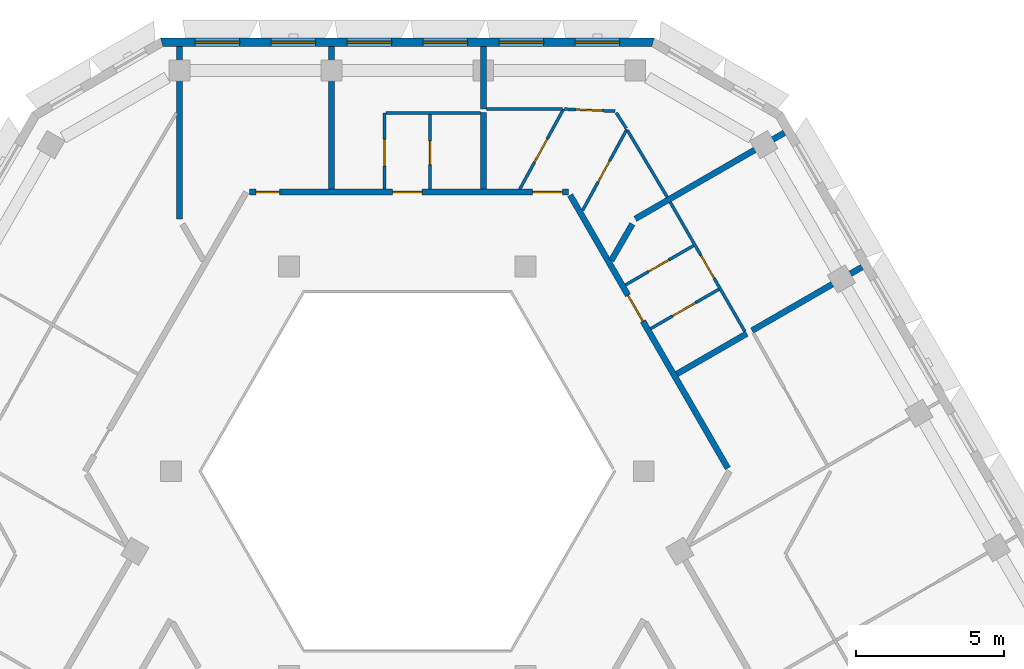
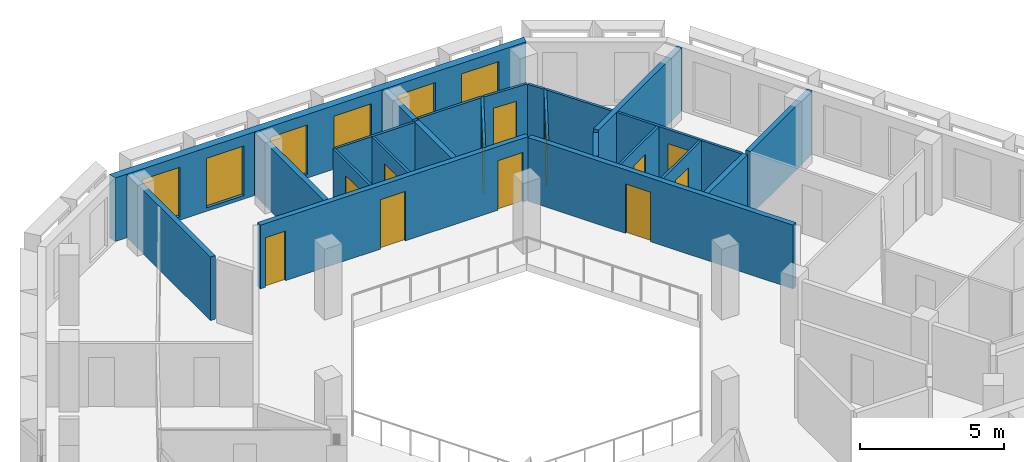
# One storey, part 8 of 16: 23 walls, 12 doors, 6 windows, 18 openings.
"""IFC4 building model written with IfcOpenShell, lengths in metres."""

from ifc_helpers import new_model, si_unit, direction, frame, frame_2d, origin, place, context, subcontext, project, spatial, polyline, rectangle, outline, extrude, material, layer, layer_set, type_object, element, fill, save


model = new_model("IFC4")

# Units and contexts
model_context = context("Model", 3, precision=1e-05, world=origin(), true_north=direction((0.0, 1.0)))
body_context = subcontext(model_context, "Body", "Model", "MODEL_VIEW")
ifc_project = project(units=[si_unit("LENGTHUNIT", "METRE"), si_unit("AREAUNIT", "SQUARE_METRE"), si_unit("VOLUMEUNIT", "CUBIC_METRE"), si_unit("PLANEANGLEUNIT", "RADIAN"), si_unit("MASSUNIT", "GRAM", prefix="KILO")], contexts=[model_context])

# Site, building, storey
site_placement = place(None, origin())
site = spatial("IfcSite", under=ifc_project, at=site_placement, CompositionType="ELEMENT")
building_placement = place(site_placement, origin())
building = spatial("IfcBuilding", under=site, at=building_placement, Name="Beryl Residences", CompositionType="ELEMENT")
storey_placement = place(building_placement, frame((0.0, 0.0, 220.800048828125)))
storey = spatial("IfcBuildingStorey", under=building, at=storey_placement, Name="L68", CompositionType="ELEMENT", Elevation=220.800048828125)

# Wall, openings, windows
ifc_material_1 = material(Name="Composite metal panel with mineral wool insulation")
ifc_layer_1 = layer(ifc_material_1, 0.300048828125)
ifc_layer_set_1 = layer_set([ifc_layer_1], Name="ES1 pale metal composite panel wall 300 mm")
wall_type_1 = type_object("IfcWallType", Name="ES1 pale metal composite panel wall 300 mm", PredefinedType="SOLIDWALL", material=ifc_layer_set_1)
wall_1_placement = place(storey_placement, frame((8.31396484375, 22.449951171875, 0.0), z_axis=(0.0, 0.0, 1.0), x_axis=(-1.0, 0.0, 0.0)))
wall_1 = element("IfcWall", 1, at=wall_1_placement, inside=storey, type_object=wall_type_1, Name="ES1 external wall L68 N", PredefinedType="SOLIDWALL", context=body_context, shape_type="SweptSolid", body=[
    extrude(outline(polyline([(0.0, -0.14990234375), (16.6279296875, -0.14990234375), (16.547607421875, 0.14990234375), (0.080322265625, 0.14990234375), (0.0, -0.14990234375)])), origin(), (0.0, 0.0, 1.0), 2.699951171875),
])
opening_1_placement = place(wall_1_placement, frame((1.1650390625, 0.0, 0.14990234375)))
opening_1 = element("IfcOpeningElement", 2, at=opening_1_placement, cuts=wall_1, Name="Opening W1", PredefinedType="OPENING", context=body_context, shape_type="SweptSolid", body=[
    extrude(rectangle(XDim=1.5, YDim=2.10009765625, at=frame_2d((0.75, 1.050048828125))), frame((0.0, 0.159912109375, 0.0), z_axis=(0.0, -1.0, 0.0), x_axis=(1.0, 0.0, 0.0)), (0.0, 0.0, 1.0), 0.320068359375),
])
opening_2_placement = place(wall_1_placement, frame((3.72412109375, 0.0, 0.14990234375)))
opening_2 = element("IfcOpeningElement", 3, at=opening_2_placement, cuts=wall_1, Name="Opening W1", PredefinedType="OPENING", context=body_context, shape_type="SweptSolid", body=[
    extrude(rectangle(XDim=1.5, YDim=2.10009765625, at=frame_2d((0.75, 1.050048828125))), frame((0.0, 0.159912109375, 0.0), z_axis=(0.0, -1.0, 0.0), x_axis=(1.0, 0.0, 0.0)), (0.0, 0.0, 1.0), 0.320068359375),
])
opening_3_placement = place(wall_1_placement, frame((6.283935546875, 0.0, 0.14990234375)))
opening_3 = element("IfcOpeningElement", 4, at=opening_3_placement, cuts=wall_1, Name="Opening W1", PredefinedType="OPENING", context=body_context, shape_type="SweptSolid", body=[
    extrude(rectangle(XDim=1.5, YDim=2.10009765625, at=frame_2d((0.75, 1.050048828125))), frame((0.0, 0.159912109375, 0.0), z_axis=(0.0, -1.0, 0.0), x_axis=(1.0, 0.0, 0.0)), (0.0, 0.0, 1.0), 0.320068359375),
])
opening_4_placement = place(wall_1_placement, frame((8.843017578125, 0.0, 0.14990234375)))
opening_4 = element("IfcOpeningElement", 5, at=opening_4_placement, cuts=wall_1, Name="Opening W1", PredefinedType="OPENING", context=body_context, shape_type="SweptSolid", body=[
    extrude(rectangle(XDim=1.5, YDim=2.10009765625, at=frame_2d((0.75, 1.050048828125))), frame((0.0, 0.159912109375, 0.0), z_axis=(0.0, -1.0, 0.0), x_axis=(1.0, 0.0, 0.0)), (0.0, 0.0, 1.0), 0.320068359375),
])
opening_5_placement = place(wall_1_placement, frame((11.403076171875, 0.0, 0.14990234375)))
opening_5 = element("IfcOpeningElement", 6, at=opening_5_placement, cuts=wall_1, Name="Opening W1", PredefinedType="OPENING", context=body_context, shape_type="SweptSolid", body=[
    extrude(rectangle(XDim=1.5, YDim=2.10009765625, at=frame_2d((0.75, 1.050048828125))), frame((0.0, 0.159912109375, 0.0), z_axis=(0.0, -1.0, 0.0), x_axis=(1.0, 0.0, 0.0)), (0.0, 0.0, 1.0), 0.320068359375),
])
opening_6_placement = place(wall_1_placement, frame((13.9619140625, 0.0, 0.14990234375)))
opening_6 = element("IfcOpeningElement", 7, at=opening_6_placement, cuts=wall_1, Name="Opening W1", PredefinedType="OPENING", context=body_context, shape_type="SweptSolid", body=[
    extrude(rectangle(XDim=1.5, YDim=2.10009765625, at=frame_2d((0.75, 1.050048828125))), frame((0.0, 0.159912109375, 0.0), z_axis=(0.0, -1.0, 0.0), x_axis=(1.0, 0.0, 0.0)), (0.0, 0.0, 1.0), 0.320068359375),
])
ifc_material_2 = material(Name="Aluminium and clear glass", Category="aluminium")
window_type = type_object("IfcWindowType", Name="W1 cell window 1500 x 2100 mm", PartitioningType="SINGLE_PANEL", PredefinedType="WINDOW", material=ifc_material_2)
window_1_placement = place(opening_1_placement, origin())
window_1 = element("IfcWindow", 8, at=window_1_placement, inside=storey, type_object=window_type, Name="W1 window L68 N 1", OverallHeight=2.10009765625, OverallWidth=1.5, PartitioningType="SINGLE_PANEL", PredefinedType="WINDOW", context=body_context, shape_type="SweptSolid", body=[
    extrude(rectangle(XDim=1.5, YDim=2.10009765625, at=frame_2d((0.75, 1.050048828125))), frame((0.0, 0.030029296875, 0.0), z_axis=(0.0, -1.0, 0.0), x_axis=(1.0, 0.0, 0.0)), (0.0, 0.0, 1.0), 0.06005859375),
])
fill(opening_1, window_1)
window_2_placement = place(opening_2_placement, origin())
window_2 = element("IfcWindow", 9, at=window_2_placement, inside=storey, type_object=window_type, Name="W1 window L68 N 2", OverallHeight=2.10009765625, OverallWidth=1.5, PartitioningType="SINGLE_PANEL", PredefinedType="WINDOW", context=body_context, shape_type="SweptSolid", body=[
    extrude(rectangle(XDim=1.5, YDim=2.10009765625, at=frame_2d((0.75, 1.050048828125))), frame((0.0, 0.030029296875, 0.0), z_axis=(0.0, -1.0, 0.0), x_axis=(1.0, 0.0, 0.0)), (0.0, 0.0, 1.0), 0.06005859375),
])
fill(opening_2, window_2)
window_3_placement = place(opening_3_placement, origin())
window_3 = element("IfcWindow", 10, at=window_3_placement, inside=storey, type_object=window_type, Name="W1 window L68 N 3", OverallHeight=2.10009765625, OverallWidth=1.5, PartitioningType="SINGLE_PANEL", PredefinedType="WINDOW", context=body_context, shape_type="SweptSolid", body=[
    extrude(rectangle(XDim=1.5, YDim=2.10009765625, at=frame_2d((0.75, 1.050048828125))), frame((0.0, 0.030029296875, 0.0), z_axis=(0.0, -1.0, 0.0), x_axis=(1.0, 0.0, 0.0)), (0.0, 0.0, 1.0), 0.06005859375),
])
fill(opening_3, window_3)
window_4_placement = place(opening_4_placement, origin())
window_4 = element("IfcWindow", 11, at=window_4_placement, inside=storey, type_object=window_type, Name="W1 window L68 N 4", OverallHeight=2.10009765625, OverallWidth=1.5, PartitioningType="SINGLE_PANEL", PredefinedType="WINDOW", context=body_context, shape_type="SweptSolid", body=[
    extrude(rectangle(XDim=1.5, YDim=2.10009765625, at=frame_2d((0.75, 1.050048828125))), frame((0.0, 0.030029296875, 0.0), z_axis=(0.0, -1.0, 0.0), x_axis=(1.0, 0.0, 0.0)), (0.0, 0.0, 1.0), 0.06005859375),
])
fill(opening_4, window_4)
window_5_placement = place(opening_5_placement, origin())
window_5 = element("IfcWindow", 12, at=window_5_placement, inside=storey, type_object=window_type, Name="W1 window L68 N 5", OverallHeight=2.10009765625, OverallWidth=1.5, PartitioningType="SINGLE_PANEL", PredefinedType="WINDOW", context=body_context, shape_type="SweptSolid", body=[
    extrude(rectangle(XDim=1.5, YDim=2.10009765625, at=frame_2d((0.75, 1.050048828125))), frame((0.0, 0.030029296875, 0.0), z_axis=(0.0, -1.0, 0.0), x_axis=(1.0, 0.0, 0.0)), (0.0, 0.0, 1.0), 0.06005859375),
])
fill(opening_5, window_5)
window_6_placement = place(opening_6_placement, origin())
window_6 = element("IfcWindow", 13, at=window_6_placement, inside=storey, type_object=window_type, Name="W1 window L68 N 6", OverallHeight=2.10009765625, OverallWidth=1.5, PartitioningType="SINGLE_PANEL", PredefinedType="WINDOW", context=body_context, shape_type="SweptSolid", body=[
    extrude(rectangle(XDim=1.5, YDim=2.10009765625, at=frame_2d((0.75, 1.050048828125))), frame((0.0, 0.030029296875, 0.0), z_axis=(0.0, -1.0, 0.0), x_axis=(1.0, 0.0, 0.0)), (0.0, 0.0, 1.0), 0.06005859375),
])
fill(opening_6, window_6)

# Walls
ifc_material_3 = material(Name="Gypsum board partition on steel studs", Category="steel")
ifc_layer_2 = layer(ifc_material_3, 0.10009765625)
ifc_layer_set_2 = layer_set([ifc_layer_2], Name="PT1 partition 100 mm gypsum board on steel studs")
wall_type_2 = type_object("IfcWallType", Name="PT1 partition 100 mm gypsum board on steel studs", PredefinedType="PARTITIONING", material=ifc_layer_set_2)
wall_2_placement = place(storey_placement, frame((7.034912109375, 20.076904296875, 0.0), z_axis=(0.0, 0.0, 1.0), x_axis=(0.540425167977, -0.841392083286, 0.0)))
element("IfcWall", 14, at=wall_2_placement, inside=storey, type_object=wall_type_2, Name="Wall PT1 L68 003", PredefinedType="PARTITIONING", context=body_context, shape_type="SweptSolid", body=[
    extrude(rectangle(XDim=0.631103515625, YDim=0.10009765625, at=frame_2d((0.3154296875, 0.0))), origin(), (0.0, 0.0, 1.0), 2.699951171875),
])
wall_3_placement = place(storey_placement, frame((7.4140625, 19.48388671875, 0.0), z_axis=(0.0, 0.0, 1.0), x_axis=(0.511734837015, -0.859143443544, 0.0)))
element("IfcWall", 15, at=wall_3_placement, inside=storey, type_object=wall_type_2, Name="Wall PT1 L68 004", PredefinedType="PARTITIONING", context=body_context, shape_type="SweptSolid", body=[
    extrude(rectangle(XDim=2.6162109375, YDim=0.10009765625, at=frame_2d((1.30810546875, 0.0))), origin(), (0.0, 0.0, 1.0), 2.699951171875),
])

# Wall, opening, door
wall_4_placement = place(storey_placement, frame((8.85400390625, 17.06396484375, 0.0), z_axis=(0.0, 0.0, 1.0), x_axis=(0.500042049778, -0.866001124973, 0.0)))
wall_4 = element("IfcWall", 16, at=wall_4_placement, inside=storey, type_object=wall_type_2, Name="Wall PT1 L68 006", PredefinedType="PARTITIONING", context=body_context, shape_type="SweptSolid", body=[
    extrude(rectangle(XDim=5.025390625, YDim=0.10009765625, at=frame_2d((2.5126953125, 0.0))), origin(), (0.0, 0.0, 1.0), 2.699951171875),
])
opening_7_placement = place(wall_4_placement, frame((2.06298828125, 0.0, 0.0)))
opening_7 = element("IfcOpeningElement", 17, at=opening_7_placement, cuts=wall_4, Name="Opening D1916", PredefinedType="OPENING", context=body_context, shape_type="SweptSolid", body=[
    extrude(rectangle(XDim=0.89990234375, YDim=2.10009765625, at=frame_2d((0.449951171875, 1.050048828125))), frame((0.0, 0.06005859375, 0.0), z_axis=(0.0, -1.0, 0.0), x_axis=(1.0, 0.0, 0.0)), (0.0, 0.0, 1.0), 0.1201171875),
])
ifc_material_4 = material(Name="Timber door leaf", Category="wood")
door_type_1 = type_object("IfcDoorType", Name="D2 room door 900 x 2100 mm", OperationType="SINGLE_SWING_LEFT", PredefinedType="DOOR", material=ifc_material_4)
door_1_placement = place(opening_7_placement, origin())
door_1 = element("IfcDoor", 18, at=door_1_placement, inside=storey, type_object=door_type_1, Name="Door D1916 L68 001", OperationType="SINGLE_SWING_RIGHT", OverallHeight=2.10009765625, OverallWidth=0.89990234375, PredefinedType="DOOR", context=body_context, shape_type="SweptSolid", body=[
    extrude(rectangle(XDim=0.89990234375, YDim=2.10009765625, at=frame_2d((0.449951171875, 1.050048828125))), frame((0.0, 0.02490234375, 0.0), z_axis=(0.0, -1.0, 0.0), x_axis=(1.0, 0.0, 0.0)), (0.0, 0.0, 1.0), 0.050048828125),
])
fill(opening_7, door_1)

wall_5_placement = place(storey_placement, frame((5.2939453125, 20.197998046875, 0.0), z_axis=(0.0, 0.0, 1.0), x_axis=(0.999159599203, -0.040988965834, 0.0)))
wall_5 = element("IfcWall", 19, at=wall_5_placement, inside=storey, type_object=wall_type_2, Name="Wall PT1 L68 012", PredefinedType="PARTITIONING", context=body_context, shape_type="SweptSolid", body=[
    extrude(rectangle(XDim=1.70947265625, YDim=0.10009765625, at=frame_2d((0.854736328125, 0.0))), origin(), (0.0, 0.0, 1.0), 2.699951171875),
])
opening_8_placement = place(wall_5_placement, frame((0.376953125, 0.0, 0.0)))
opening_8 = element("IfcOpeningElement", 20, at=opening_8_placement, cuts=wall_5, Name="Opening D1920", PredefinedType="OPENING", context=body_context, shape_type="SweptSolid", body=[
    extrude(rectangle(XDim=0.89990234375, YDim=2.10009765625, at=frame_2d((0.449951171875, 1.050048828125))), frame((0.0, 0.06005859375, 0.0), z_axis=(0.0, -1.0, 0.0), x_axis=(1.0, 0.0, 0.0)), (0.0, 0.0, 1.0), 0.1201171875),
])
door_2_placement = place(opening_8_placement, origin())
door_2 = element("IfcDoor", 21, at=door_2_placement, inside=storey, type_object=door_type_1, Name="Door D1920 L68 001", OperationType="SINGLE_SWING_RIGHT", OverallHeight=2.10009765625, OverallWidth=0.89990234375, PredefinedType="DOOR", context=body_context, shape_type="SweptSolid", body=[
    extrude(rectangle(XDim=0.89990234375, YDim=2.10009765625, at=frame_2d((0.449951171875, 1.050048828125))), frame((0.0, 0.02490234375, 0.0), z_axis=(0.0, -1.0, 0.0), x_axis=(1.0, 0.0, 0.0)), (0.0, 0.0, 1.0), 0.050048828125),
])
fill(opening_8, door_2)

# Walls
wall_6_placement = place(storey_placement, frame((-0.716064453125, 20.06005859375, 0.0), z_axis=(0.0, 0.0, 1.0), x_axis=(1.0, 0.0, 0.0)))
element("IfcWall", 22, at=wall_6_placement, inside=storey, type_object=wall_type_2, Name="Wall PT1 L68 021", PredefinedType="PARTITIONING", context=body_context, shape_type="SweptSolid", body=[
    extrude(rectangle(XDim=3.176025390625, YDim=0.10009765625, at=frame_2d((1.587890625, 0.0))), origin(), (0.0, 0.0, 1.0), 2.699951171875),
])
wall_7_placement = place(storey_placement, frame((2.659912109375, 20.199951171875, 0.0), z_axis=(0.0, 0.0, 1.0), x_axis=(1.0, 0.0, 0.0)))
element("IfcWall", 23, at=wall_7_placement, inside=storey, type_object=wall_type_2, Name="Wall PT1 L68 022", PredefinedType="PARTITIONING", context=body_context, shape_type="SweptSolid", body=[
    extrude(rectangle(XDim=2.564208984375, YDim=0.10009765625, at=frame_2d((1.2822265625, 0.0))), origin(), (0.0, 0.0, 1.0), 2.699951171875),
])

# Wall, opening, door
wall_8_placement = place(storey_placement, frame((3.787109375, 17.5, 0.0), z_axis=(0.0, 0.0, 1.0), x_axis=(0.479146828267, 0.877734764585, 0.0)))
wall_8 = element("IfcWall", 24, at=wall_8_placement, inside=storey, type_object=wall_type_2, Name="Wall PT1 L68 028", PredefinedType="PARTITIONING", context=body_context, shape_type="SweptSolid", body=[
    extrude(rectangle(XDim=3.075927734375, YDim=0.10009765625, at=frame_2d((1.5380859375, 0.0))), origin(), (0.0, 0.0, 1.0), 2.699951171875),
])
opening_9_placement = place(wall_8_placement, frame((1.031005859375, 0.0, 0.0)))
opening_9 = element("IfcOpeningElement", 25, at=opening_9_placement, cuts=wall_8, Name="Opening D1919", PredefinedType="OPENING", context=body_context, shape_type="SweptSolid", body=[
    extrude(rectangle(XDim=0.89990234375, YDim=2.10009765625, at=frame_2d((0.449951171875, 1.050048828125))), frame((0.0, 0.06005859375, 0.0), z_axis=(0.0, -1.0, 0.0), x_axis=(1.0, 0.0, 0.0)), (0.0, 0.0, 1.0), 0.1201171875),
])
door_3_placement = place(opening_9_placement, origin())
door_3 = element("IfcDoor", 26, at=door_3_placement, inside=storey, type_object=door_type_1, Name="Door D1919 L68 001", OperationType="SINGLE_SWING_LEFT", OverallHeight=2.10009765625, OverallWidth=0.89990234375, PredefinedType="DOOR", context=body_context, shape_type="SweptSolid", body=[
    extrude(rectangle(XDim=0.89990234375, YDim=2.10009765625, at=frame_2d((0.449951171875, 1.050048828125))), frame((0.0, 0.02490234375, 0.0), z_axis=(0.0, -1.0, 0.0), x_axis=(1.0, 0.0, 0.0)), (0.0, 0.0, 1.0), 0.050048828125),
])
fill(opening_9, door_3)

wall_9_placement = place(storey_placement, frame((5.90087890625, 16.780029296875, 0.0), z_axis=(0.0, 0.0, 1.0), x_axis=(0.479148317257, 0.877733951759, 0.0)))
wall_9 = element("IfcWall", 27, at=wall_9_placement, inside=storey, type_object=wall_type_2, Name="Wall PT1 L68 029", PredefinedType="PARTITIONING", context=body_context, shape_type="SweptSolid", body=[
    extrude(rectangle(XDim=3.118408203125, YDim=0.10009765625, at=frame_2d((1.55908203125, 0.0))), origin(), (0.0, 0.0, 1.0), 2.699951171875),
])
opening_10_placement = place(wall_9_placement, frame((1.10107421875, 0.0, 0.0)))
opening_10 = element("IfcOpeningElement", 28, at=opening_10_placement, cuts=wall_9, Name="Opening D1918", PredefinedType="OPENING", context=body_context, shape_type="SweptSolid", body=[
    extrude(rectangle(XDim=0.800048828125, YDim=2.10009765625, at=frame_2d((0.39990234375, 1.050048828125))), frame((0.0, 0.06005859375, 0.0), z_axis=(0.0, -1.0, 0.0), x_axis=(1.0, 0.0, 0.0)), (0.0, 0.0, 1.0), 0.1201171875),
])
ifc_material_5 = material(Name="Timber door leaf", Category="wood")
door_type_2 = type_object("IfcDoorType", Name="D3 bathroom door 800 x 2100 mm", OperationType="SINGLE_SWING_LEFT", PredefinedType="DOOR", material=ifc_material_5)
door_4_placement = place(opening_10_placement, origin())
door_4 = element("IfcDoor", 29, at=door_4_placement, inside=storey, type_object=door_type_2, Name="Door D1918 L68 001", OperationType="SINGLE_SWING_RIGHT", OverallHeight=2.10009765625, OverallWidth=0.800048828125, PredefinedType="DOOR", context=body_context, shape_type="SweptSolid", body=[
    extrude(rectangle(XDim=0.800048828125, YDim=2.10009765625, at=frame_2d((0.39990234375, 1.050048828125))), frame((0.0, 0.02490234375, 0.0), z_axis=(0.0, -1.0, 0.0), x_axis=(1.0, 0.0, 0.0)), (0.0, 0.0, 1.0), 0.050048828125),
])
fill(opening_10, door_4)

wall_10_placement = place(storey_placement, frame((0.76806640625, 17.5, 0.0), z_axis=(0.0, 0.0, 1.0), x_axis=(0.0, 1.0, 0.0)))
wall_10 = element("IfcWall", 30, at=wall_10_placement, inside=storey, type_object=wall_type_2, Name="Wall PT1 L68 033", PredefinedType="PARTITIONING", context=body_context, shape_type="SweptSolid", body=[
    extrude(rectangle(XDim=2.510009765625, YDim=0.10009765625, at=frame_2d((1.2548828125, 0.0))), origin(), (0.0, 0.0, 1.0), 2.699951171875),
])
opening_11_placement = place(wall_10_placement, frame((0.830078125, 0.0, 0.0)))
opening_11 = element("IfcOpeningElement", 31, at=opening_11_placement, cuts=wall_10, Name="Opening D1923", PredefinedType="OPENING", context=body_context, shape_type="SweptSolid", body=[
    extrude(rectangle(XDim=0.800048828125, YDim=2.10009765625, at=frame_2d((0.39990234375, 1.050048828125))), frame((0.0, 0.06005859375, 0.0), z_axis=(0.0, -1.0, 0.0), x_axis=(1.0, 0.0, 0.0)), (0.0, 0.0, 1.0), 0.1201171875),
])
door_5_placement = place(opening_11_placement, origin())
door_5 = element("IfcDoor", 32, at=door_5_placement, inside=storey, type_object=door_type_2, Name="Door D1923 L68 001", OperationType="SINGLE_SWING_LEFT", OverallHeight=2.10009765625, OverallWidth=0.800048828125, PredefinedType="DOOR", context=body_context, shape_type="SweptSolid", body=[
    extrude(rectangle(XDim=0.800048828125, YDim=2.10009765625, at=frame_2d((0.39990234375, 1.050048828125))), frame((0.0, 0.02490234375, 0.0), z_axis=(0.0, -1.0, 0.0), x_axis=(1.0, 0.0, 0.0)), (0.0, 0.0, 1.0), 0.050048828125),
])
fill(opening_11, door_5)

wall_11_placement = place(storey_placement, frame((-0.76708984375, 17.5, 0.0), z_axis=(0.0, 0.0, 1.0), x_axis=(0.0, 1.0, 0.0)))
wall_11 = element("IfcWall", 33, at=wall_11_placement, inside=storey, type_object=wall_type_2, Name="Wall PT1 L68 035", PredefinedType="PARTITIONING", context=body_context, shape_type="SweptSolid", body=[
    extrude(rectangle(XDim=2.55908203125, YDim=0.10009765625, at=frame_2d((1.279541015625, 0.0))), origin(), (0.0, 0.0, 1.0), 2.699951171875),
])
opening_12_placement = place(wall_11_placement, frame((0.780029296875, 0.0, 0.0)))
opening_12 = element("IfcOpeningElement", 34, at=opening_12_placement, cuts=wall_11, Name="Opening D1922", PredefinedType="OPENING", context=body_context, shape_type="SweptSolid", body=[
    extrude(rectangle(XDim=0.89990234375, YDim=2.10009765625, at=frame_2d((0.449951171875, 1.050048828125))), frame((0.0, 0.06005859375, 0.0), z_axis=(0.0, -1.0, 0.0), x_axis=(1.0, 0.0, 0.0)), (0.0, 0.0, 1.0), 0.1201171875),
])
door_6_placement = place(opening_12_placement, origin())
door_6 = element("IfcDoor", 35, at=door_6_placement, inside=storey, type_object=door_type_1, Name="Door D1922 L68 001", OperationType="SINGLE_SWING_RIGHT", OverallHeight=2.10009765625, OverallWidth=0.89990234375, PredefinedType="DOOR", context=body_context, shape_type="SweptSolid", body=[
    extrude(rectangle(XDim=0.89990234375, YDim=2.10009765625, at=frame_2d((0.449951171875, 1.050048828125))), frame((0.0, 0.02490234375, 0.0), z_axis=(0.0, -1.0, 0.0), x_axis=(1.0, 0.0, 0.0)), (0.0, 0.0, 1.0), 0.050048828125),
])
fill(opening_12, door_6)

wall_12_placement = place(storey_placement, frame((8.197021484375, 12.802001953125, 0.0), z_axis=(0.0, 0.0, 1.0), x_axis=(0.866029095148, 0.499993606316, 0.0)))
wall_12 = element("IfcWall", 36, at=wall_12_placement, inside=storey, type_object=wall_type_2, Name="Wall PT1 L68 042", PredefinedType="PARTITIONING", context=body_context, shape_type="SweptSolid", body=[
    extrude(rectangle(XDim=2.64990234375, YDim=0.10009765625, at=frame_2d((1.324951171875, 0.0))), origin(), (0.0, 0.0, 1.0), 2.699951171875),
])
opening_13_placement = place(wall_12_placement, frame((0.85009765625, 0.0, 0.0)))
opening_13 = element("IfcOpeningElement", 37, at=opening_13_placement, cuts=wall_12, Name="Opening D1915", PredefinedType="OPENING", context=body_context, shape_type="SweptSolid", body=[
    extrude(rectangle(XDim=0.89990234375, YDim=2.10009765625, at=frame_2d((0.449951171875, 1.050048828125))), frame((0.0, 0.06005859375, 0.0), z_axis=(0.0, -1.0, 0.0), x_axis=(1.0, 0.0, 0.0)), (0.0, 0.0, 1.0), 0.1201171875),
])
door_7_placement = place(opening_13_placement, origin())
door_7 = element("IfcDoor", 38, at=door_7_placement, inside=storey, type_object=door_type_1, Name="Door D1915 L68 001", OperationType="SINGLE_SWING_LEFT", OverallHeight=2.10009765625, OverallWidth=0.89990234375, PredefinedType="DOOR", context=body_context, shape_type="SweptSolid", body=[
    extrude(rectangle(XDim=0.89990234375, YDim=2.10009765625, at=frame_2d((0.449951171875, 1.050048828125))), frame((0.0, 0.02490234375, 0.0), z_axis=(0.0, -1.0, 0.0), x_axis=(1.0, 0.0, 0.0)), (0.0, 0.0, 1.0), 0.050048828125),
])
fill(opening_13, door_7)

wall_13_placement = place(storey_placement, frame((7.346923828125, 14.27392578125, 0.0), z_axis=(0.0, 0.0, 1.0), x_axis=(0.86601223543, 0.500022807565, 0.0)))
wall_13 = element("IfcWall", 39, at=wall_13_placement, inside=storey, type_object=wall_type_2, Name="Wall PT1 L68 043", PredefinedType="PARTITIONING", context=body_context, shape_type="SweptSolid", body=[
    extrude(rectangle(XDim=2.650390625, YDim=0.10009765625, at=frame_2d((1.3251953125, 0.0))), origin(), (0.0, 0.0, 1.0), 2.699951171875),
])
opening_14_placement = place(wall_13_placement, frame((0.89990234375, 0.0, 0.0)))
opening_14 = element("IfcOpeningElement", 40, at=opening_14_placement, cuts=wall_13, Name="Opening D1914", PredefinedType="OPENING", context=body_context, shape_type="SweptSolid", body=[
    extrude(rectangle(XDim=0.800048828125, YDim=2.10009765625, at=frame_2d((0.39990234375, 1.050048828125))), frame((0.0, 0.06005859375, 0.0), z_axis=(0.0, -1.0, 0.0), x_axis=(1.0, 0.0, 0.0)), (0.0, 0.0, 1.0), 0.1201171875),
])
door_8_placement = place(opening_14_placement, origin())
door_8 = element("IfcDoor", 41, at=door_8_placement, inside=storey, type_object=door_type_2, Name="Door D1914 L68 001", OperationType="SINGLE_SWING_RIGHT", OverallHeight=2.10009765625, OverallWidth=0.800048828125, PredefinedType="DOOR", context=body_context, shape_type="SweptSolid", body=[
    extrude(rectangle(XDim=0.800048828125, YDim=2.10009765625, at=frame_2d((0.39990234375, 1.050048828125))), frame((0.0, 0.02490234375, 0.0), z_axis=(0.0, -1.0, 0.0), x_axis=(1.0, 0.0, 0.0)), (0.0, 0.0, 1.0), 0.050048828125),
])
fill(opening_14, door_8)

# Walls
ifc_material_6 = material(Name="Acoustic double stud gypsum board wall")
ifc_layer_3 = layer(ifc_material_6, 0.199951171875)
ifc_layer_set_3 = layer_set([ifc_layer_3], Name="PT3 party wall 200 mm acoustic double stud")
wall_type_3 = type_object("IfcWallType", Name="PT3 party wall 200 mm acoustic double stud", PredefinedType="PARTITIONING", material=ifc_layer_set_3)
wall_14_placement = place(storey_placement, frame((-2.55908203125, 22.300048828125, 0.0), z_axis=(0.0, 0.0, 1.0), x_axis=(0.0, -1.0, 0.0)))
element("IfcWall", 42, at=wall_14_placement, inside=storey, type_object=wall_type_3, Name="Wall PT3 L68 003", PredefinedType="PARTITIONING", context=body_context, shape_type="SweptSolid", body=[
    extrude(rectangle(XDim=4.800048828125, YDim=0.199951171875, at=frame_2d((2.39990234375, 0.0))), origin(), (0.0, 0.0, 1.0), 2.699951171875),
])
wall_15_placement = place(storey_placement, frame((2.56005859375, 20.080078125, 0.0), z_axis=(0.0, 0.0, 1.0), x_axis=(0.0, -1.0, 0.0)))
element("IfcWall", 43, at=wall_15_placement, inside=storey, type_object=wall_type_3, Name="Wall PT3 L68 004", PredefinedType="PARTITIONING", context=body_context, shape_type="SweptSolid", body=[
    extrude(rectangle(XDim=2.580078125, YDim=0.199951171875, at=frame_2d((1.2900390625, 0.0))), origin(), (0.0, 0.0, 1.0), 2.699951171875),
])
wall_16_placement = place(storey_placement, frame((6.87109375, 15.10009765625, 0.0), z_axis=(0.0, 0.0, 1.0), x_axis=(0.50006528296, 0.865987709369, 0.0)))
element("IfcWall", 44, at=wall_16_placement, inside=storey, type_object=wall_type_3, Name="Wall PT3 L68 010", PredefinedType="PARTITIONING", context=body_context, shape_type="SweptSolid", body=[
    extrude(rectangle(XDim=1.417724609375, YDim=0.199951171875, at=frame_2d((0.708984375, 0.0))), origin(), (0.0, 0.0, 1.0), 2.699951171875),
])
wall_17_placement = place(storey_placement, frame((2.56005859375, 20.199951171875, 0.0), z_axis=(0.0, 0.0, 1.0), x_axis=(0.0, 1.0, 0.0)))
element("IfcWall", 45, at=wall_17_placement, inside=storey, type_object=wall_type_3, Name="Wall PT3 L68 011", PredefinedType="PARTITIONING", context=body_context, shape_type="SweptSolid", body=[
    extrude(rectangle(XDim=2.10009765625, YDim=0.199951171875, at=frame_2d((1.050048828125, 0.0))), origin(), (0.0, 0.0, 1.0), 2.699951171875),
])
wall_18_placement = place(storey_placement, frame((-7.677978515625, 16.4990234375, 0.0), z_axis=(0.0, 0.0, 1.0), x_axis=(0.0, 1.0, 0.0)))
element("IfcWall", 46, at=wall_18_placement, inside=storey, type_object=wall_type_3, Name="Wall PT3 L68 012", PredefinedType="PARTITIONING", context=body_context, shape_type="SweptSolid", body=[
    extrude(rectangle(XDim=5.801025390625, YDim=0.199951171875, at=frame_2d((2.900390625, 0.0))), origin(), (0.0, 0.0, 1.0), 2.699951171875),
])
wall_19_placement = place(storey_placement, frame((9.0791015625, 11.27490234375, 0.0), z_axis=(0.0, 0.0, 1.0), x_axis=(0.865952340496, 0.500126527981, 0.0)))
element("IfcWall", 47, at=wall_19_placement, inside=storey, type_object=wall_type_3, Name="Wall PT3 L68 013", PredefinedType="PARTITIONING", context=body_context, shape_type="SweptSolid", body=[
    extrude(rectangle(XDim=2.719482421875, YDim=0.199951171875, at=frame_2d((1.35986328125, 0.0))), origin(), (0.0, 0.0, 1.0), 2.699951171875),
])
wall_20_placement = place(storey_placement, frame((11.611083984375, 12.737060546875, 0.0), z_axis=(0.0, 0.0, 1.0), x_axis=(0.866017282483, 0.500014066243, 0.0)))
element("IfcWall", 48, at=wall_20_placement, inside=storey, type_object=wall_type_3, Name="Wall PT3 L68 014", PredefinedType="PARTITIONING", context=body_context, shape_type="SweptSolid", body=[
    extrude(rectangle(XDim=4.27587890625, YDim=0.199951171875, at=frame_2d((2.137939453125, 0.0))), origin(), (0.0, 0.0, 1.0), 2.699951171875),
])
wall_21_placement = place(storey_placement, frame((7.679931640625, 16.5009765625, 0.0), z_axis=(0.0, 0.0, 1.0), x_axis=(0.86602149507, 0.500006770031, 0.0)))
element("IfcWall", 49, at=wall_21_placement, inside=storey, type_object=wall_type_3, Name="Wall PT3 L68 015", PredefinedType="PARTITIONING", context=body_context, shape_type="SweptSolid", body=[
    extrude(rectangle(XDim=5.7978515625, YDim=0.199951171875, at=frame_2d((2.89892578125, 0.0))), origin(), (0.0, 0.0, 1.0), 2.699951171875),
])

# Wall, opening, door
ifc_material_7 = material(Name="Double stud gypsum board wall")
ifc_layer_4 = layer(ifc_material_7, 0.199951171875)
ifc_layer_set_4 = layer_set([ifc_layer_4], Name="PT4 corridor wall 200 mm double stud")
wall_type_4 = type_object("IfcWallType", Name="PT4 corridor wall 200 mm double stud", PredefinedType="PARTITIONING", material=ifc_layer_set_4)
wall_22_placement = place(storey_placement, frame((5.485107421875, 17.300048828125, 0.0), z_axis=(0.0, 0.0, 1.0), x_axis=(0.499943285704, -0.866058145322, 0.0)))
wall_22 = element("IfcWall", 50, at=wall_22_placement, inside=storey, type_object=wall_type_4, Name="Wall PT4 L68 007", PredefinedType="PARTITIONING", context=body_context, shape_type="SweptSolid", body=[
    extrude(rectangle(XDim=10.622802734375, YDim=0.199951171875, at=frame_2d((5.3115234375, 0.0))), origin(), (0.0, 0.0, 1.0), 2.699951171875),
])
opening_15_placement = place(wall_22_placement, frame((3.90087890625, 0.0, 0.0)))
opening_15 = element("IfcOpeningElement", 51, at=opening_15_placement, cuts=wall_22, Name="Opening D1913", PredefinedType="OPENING", context=body_context, shape_type="SweptSolid", body=[
    extrude(rectangle(XDim=1.0, YDim=2.10009765625, at=frame_2d((0.5, 1.050048828125))), frame((0.0, 0.10986328125, 0.0), z_axis=(0.0, -1.0, 0.0), x_axis=(1.0, 0.0, 0.0)), (0.0, 0.0, 1.0), 0.219970703125),
])
ifc_material_8 = material(Name="Timber door leaf", Category="wood")
door_type_3 = type_object("IfcDoorType", Name="D1 flat entrance door 1000 x 2100 mm", OperationType="SINGLE_SWING_LEFT", PredefinedType="DOOR", material=ifc_material_8)
door_9_placement = place(opening_15_placement, origin())
door_9 = element("IfcDoor", 52, at=door_9_placement, inside=storey, type_object=door_type_3, Name="Door D1913 L68 001", OperationType="SINGLE_SWING_LEFT", OverallHeight=2.10009765625, OverallWidth=1.0, PredefinedType="DOOR", context=body_context, shape_type="SweptSolid", body=[
    extrude(rectangle(XDim=1.0, YDim=2.10009765625, at=frame_2d((0.5, 1.050048828125))), frame((0.0, 0.02490234375, 0.0), z_axis=(0.0, -1.0, 0.0), x_axis=(1.0, 0.0, 0.0)), (0.0, 0.0, 1.0), 0.050048828125),
])
fill(opening_15, door_9)

# Wall, openings, doors
wall_23_placement = place(storey_placement, frame((-5.31201171875, 17.39990234375, 0.0), z_axis=(0.0, 0.0, 1.0), x_axis=(1.0, 0.0, 0.0)))
wall_23 = element("IfcWall", 53, at=wall_23_placement, inside=storey, type_object=wall_type_4, Name="Wall PT4 L68 017", PredefinedType="PARTITIONING", context=body_context, shape_type="SweptSolid", body=[
    extrude(rectangle(XDim=10.739013671875, YDim=0.199951171875, at=frame_2d((5.36962890625, 0.0))), origin(), (0.0, 0.0, 1.0), 2.699951171875),
])
opening_16_placement = place(wall_23_placement, frame((9.533935546875, 0.0, 0.0)))
opening_16 = element("IfcOpeningElement", 54, at=opening_16_placement, cuts=wall_23, Name="Opening D1917", PredefinedType="OPENING", context=body_context, shape_type="SweptSolid", body=[
    extrude(rectangle(XDim=1.0, YDim=2.10009765625, at=frame_2d((0.5, 1.050048828125))), frame((0.0, 0.10986328125, 0.0), z_axis=(0.0, -1.0, 0.0), x_axis=(1.0, 0.0, 0.0)), (0.0, 0.0, 1.0), 0.219970703125),
])
opening_17_placement = place(wall_23_placement, frame((4.81201171875, 0.0, 0.0)))
opening_17 = element("IfcOpeningElement", 55, at=opening_17_placement, cuts=wall_23, Name="Opening D1921", PredefinedType="OPENING", context=body_context, shape_type="SweptSolid", body=[
    extrude(rectangle(XDim=1.0, YDim=2.10009765625, at=frame_2d((0.5, 1.050048828125))), frame((0.0, 0.10986328125, 0.0), z_axis=(0.0, -1.0, 0.0), x_axis=(1.0, 0.0, 0.0)), (0.0, 0.0, 1.0), 0.219970703125),
])
opening_18_placement = place(wall_23_placement, frame((0.2080078125, 0.0, 0.0)))
opening_18 = element("IfcOpeningElement", 56, at=opening_18_placement, cuts=wall_23, Name="Opening D1924", PredefinedType="OPENING", context=body_context, shape_type="SweptSolid", body=[
    extrude(rectangle(XDim=0.800048828125, YDim=2.10009765625, at=frame_2d((0.39990234375, 1.050048828125))), frame((0.0, 0.10986328125, 0.0), z_axis=(0.0, -1.0, 0.0), x_axis=(1.0, 0.0, 0.0)), (0.0, 0.0, 1.0), 0.219970703125),
])
door_10_placement = place(opening_16_placement, origin())
door_10 = element("IfcDoor", 57, at=door_10_placement, inside=storey, type_object=door_type_3, Name="Door D1917 L68 001", OperationType="SINGLE_SWING_LEFT", OverallHeight=2.10009765625, OverallWidth=1.0, PredefinedType="DOOR", context=body_context, shape_type="SweptSolid", body=[
    extrude(rectangle(XDim=1.0, YDim=2.10009765625, at=frame_2d((0.5, 1.050048828125))), frame((0.0, 0.02490234375, 0.0), z_axis=(0.0, -1.0, 0.0), x_axis=(1.0, 0.0, 0.0)), (0.0, 0.0, 1.0), 0.050048828125),
])
fill(opening_16, door_10)
door_11_placement = place(opening_17_placement, origin())
door_11 = element("IfcDoor", 58, at=door_11_placement, inside=storey, type_object=door_type_3, Name="Door D1921 L68 001", OperationType="SINGLE_SWING_LEFT", OverallHeight=2.10009765625, OverallWidth=1.0, PredefinedType="DOOR", context=body_context, shape_type="SweptSolid", body=[
    extrude(rectangle(XDim=1.0, YDim=2.10009765625, at=frame_2d((0.5, 1.050048828125))), frame((0.0, 0.02490234375, 0.0), z_axis=(0.0, -1.0, 0.0), x_axis=(1.0, 0.0, 0.0)), (0.0, 0.0, 1.0), 0.050048828125),
])
fill(opening_17, door_11)
door_12_placement = place(opening_18_placement, origin())
door_12 = element("IfcDoor", 59, at=door_12_placement, inside=storey, type_object=door_type_2, Name="Door D1924 L68 001", OperationType="SINGLE_SWING_RIGHT", OverallHeight=2.10009765625, OverallWidth=0.800048828125, PredefinedType="DOOR", context=body_context, shape_type="SweptSolid", body=[
    extrude(rectangle(XDim=0.800048828125, YDim=2.10009765625, at=frame_2d((0.39990234375, 1.050048828125))), frame((0.0, 0.02490234375, 0.0), z_axis=(0.0, -1.0, 0.0), x_axis=(1.0, 0.0, 0.0)), (0.0, 0.0, 1.0), 0.050048828125),
])
fill(opening_18, door_12)

save(model, "model.ifc")
